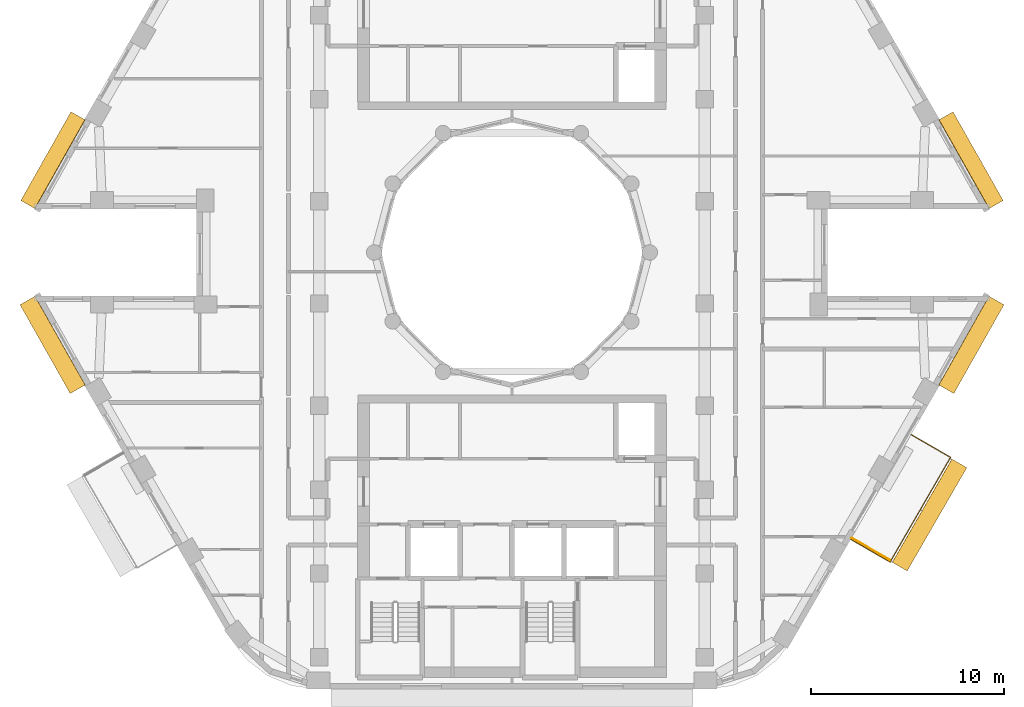
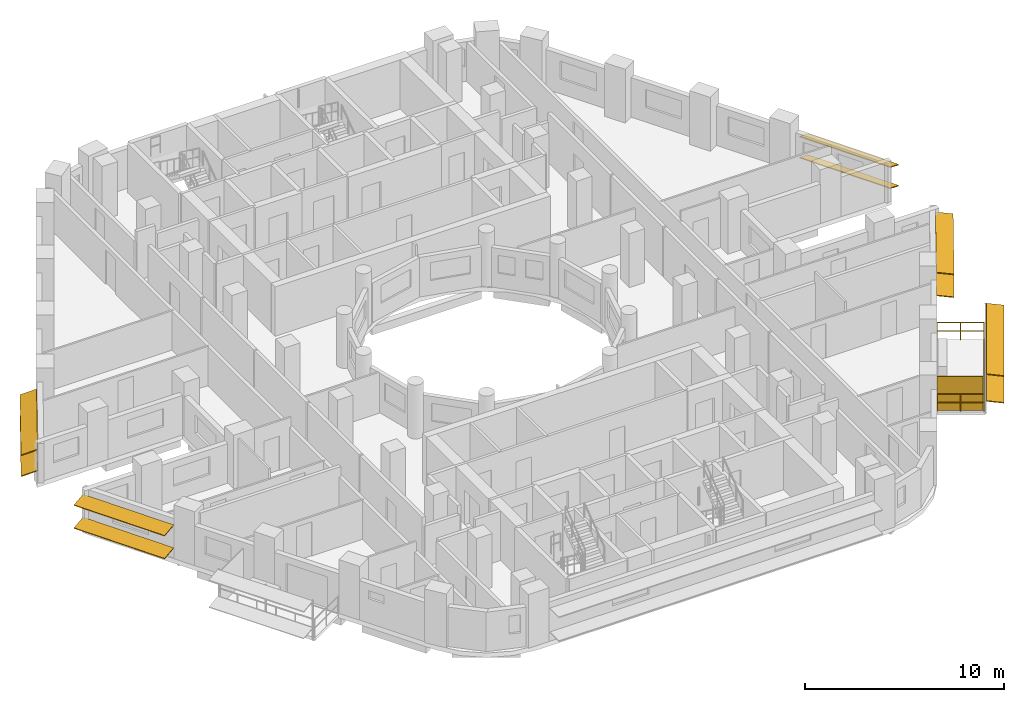
# One storey, part 14 of 15: 11 shading devices, 1 railing.
"""IFC4 building model written with IfcOpenShell, lengths in metres."""

from ifc_helpers import new_model, si_unit, direction, frame, origin, origin_2d, place, context, subcontext, project, spatial, rectangle, circle, extrude, material, layer, layer_set, material_profile, profile_set, type_object, element, save


model = new_model("IFC4")

# Units and contexts
model_context = context("Model", 3, precision=1e-05, world=origin(), true_north=direction((0.0, 1.0)))
body_context = subcontext(model_context, "Body", "Model", "MODEL_VIEW")
ifc_project = project(units=[si_unit("LENGTHUNIT", "METRE"), si_unit("AREAUNIT", "SQUARE_METRE"), si_unit("VOLUMEUNIT", "CUBIC_METRE"), si_unit("PLANEANGLEUNIT", "RADIAN"), si_unit("MASSUNIT", "GRAM", prefix="KILO")], contexts=[model_context])

# Site, building, storey
site_placement = place(None, origin())
site = spatial("IfcSite", under=ifc_project, at=site_placement, CompositionType="ELEMENT")
building_placement = place(site_placement, origin())
building = spatial("IfcBuilding", under=site, at=building_placement, Name="Nakaniwa Court", CompositionType="ELEMENT")
storey_placement = place(building_placement, frame((0.0, 0.0, 186.60009765625)))
storey = spatial("IfcBuildingStorey", under=building, at=storey_placement, Name="L48", CompositionType="ELEMENT", Elevation=186.60009765625)

# Railing
ifc_material_1 = material(Name="Black powder-coated steel flat bar balustrade S275", Category="steel")
railing_type = type_object("IfcRailingType", Name="Black metal balcony guard 1100", PredefinedType="GUARDRAIL", material=ifc_material_1)
railing_placement = place(storey_placement, frame((97.566162109375, 65.12548828125, -0.050048828125)))
element("IfcRailing", 1, at=railing_placement, inside=storey, type_object=railing_type, Name="L48 balcony guard 02", PredefinedType="GUARDRAIL", context=body_context, shape_type="SweptSolid", body=[
    extrude(circle(Radius=0.02392578125, at=origin_2d()), frame((0.0, 0.0, 1.076171875), z_axis=(0.865980564943, -0.500077655111, 0.0), x_axis=(0.500077655111, 0.865980564943, 0.0)), (0.0, 0.0, 1.0), 2.35986328125),
    extrude(circle(Radius=0.02392578125, at=origin_2d()), frame((0.0, 0.0, 0.550048828125), z_axis=(0.865980564943, -0.500077655111, 0.0), x_axis=(0.500077655111, 0.865980564943, 0.0)), (0.0, 0.0, 1.0), 2.35986328125),
    extrude(circle(Radius=0.02392578125, at=origin_2d()), frame((2.043701171875, -1.18017578125, 1.076171875), z_axis=(0.500023755625, 0.866011688033, 0.0), x_axis=(-0.866011688033, 0.500023755625, 0.0)), (0.0, 0.0, 1.0), 6.265869140625),
    extrude(circle(Radius=0.02392578125, at=origin_2d()), frame((2.043701171875, -1.18017578125, 0.550048828125), z_axis=(0.500023755625, 0.866011688033, 0.0), x_axis=(-0.866011688033, 0.500023755625, 0.0)), (0.0, 0.0, 1.0), 6.265869140625),
    extrude(circle(Radius=0.02392578125, at=origin_2d()), frame((5.1767578125, 4.24609375, 1.076171875), z_axis=(-0.865980564943, 0.500077655111, 0.0), x_axis=(-0.500077655111, -0.865980564943, 0.0)), (0.0, 0.0, 1.0), 2.35986328125),
    extrude(circle(Radius=0.02392578125, at=origin_2d()), frame((5.1767578125, 4.24609375, 0.550048828125), z_axis=(-0.865980564943, 0.500077655111, 0.0), x_axis=(-0.500077655111, -0.865980564943, 0.0)), (0.0, 0.0, 1.0), 2.35986328125),
    extrude(circle(Radius=0.02099609375, at=origin_2d()), origin(), (0.0, 0.0, 1.0), 1.052001953125),
    extrude(circle(Radius=0.02099609375, at=origin_2d()), frame((1.02197265625, -0.590087890625, 0.0)), (0.0, 0.0, 1.0), 1.052001953125),
    extrude(circle(Radius=0.02099609375, at=origin_2d()), frame((2.043701171875, -1.18017578125, 0.0)), (0.0, 0.0, 1.0), 1.052001953125),
    extrude(circle(Radius=0.02099609375, at=origin_2d()), frame((2.56591796875, -0.27587890625, 0.0)), (0.0, 0.0, 1.0), 1.052001953125),
    extrude(circle(Radius=0.02099609375, at=origin_2d()), frame((3.088134765625, 0.628662109375, 0.0)), (0.0, 0.0, 1.0), 1.052001953125),
    extrude(circle(Radius=0.02099609375, at=origin_2d()), frame((3.6103515625, 1.532958984375, 0.0)), (0.0, 0.0, 1.0), 1.052001953125),
    extrude(circle(Radius=0.02099609375, at=origin_2d()), frame((4.13232421875, 2.437255859375, 0.0)), (0.0, 0.0, 1.0), 1.052001953125),
    extrude(circle(Radius=0.02099609375, at=origin_2d()), frame((4.654541015625, 3.341796875, 0.0)), (0.0, 0.0, 1.0), 1.052001953125),
    extrude(circle(Radius=0.02099609375, at=origin_2d()), frame((5.1767578125, 4.24609375, 0.0)), (0.0, 0.0, 1.0), 1.052001953125),
    extrude(circle(Radius=0.02099609375, at=origin_2d()), frame((4.15478515625, 4.836181640625, 0.0)), (0.0, 0.0, 1.0), 1.052001953125),
    extrude(circle(Radius=0.02099609375, at=origin_2d()), frame((3.133056640625, 5.42626953125, 0.0)), (0.0, 0.0, 1.0), 1.052001953125),
])

# Shading devices
ifc_material_2 = material(Name="Black powder-coated aluminium slat screen", Category="aluminium")
ifc_layer = layer(ifc_material_2, 0.0400390625)
ifc_layer_set = layer_set([ifc_layer], Name="Black powder-coated aluminium slat screen")
shading_device_type_1 = type_object("IfcShadingDeviceType", Name="Koshi screen black metal", PredefinedType="USERDEFINED", material=ifc_layer_set)
shading_device_placement = place(storey_placement, frame((98.606201171875, 64.6171875, -0.050048828125), z_axis=(0.0, 0.0, 1.0), x_axis=(0.500016626402, 0.866015804314, 0.0)))
element("IfcShadingDevice", 2, at=shading_device_placement, inside=storey, type_object=shading_device_type_1, Name="L48 balcony SCREEN 02 W", ObjectType="KOSHI SCREEN", PredefinedType="USERDEFINED", context=body_context, shape_type="SweptSolid", body=[
    extrude(rectangle(XDim=0.0400390625, YDim=2.31005859375, at=origin_2d()), origin(), (0.0, 0.0, 1.0), 2.10009765625),
])
ifc_material_3 = material(Name="Perforated charcoal ceramic louvre blade")
ifc_material_profile = material_profile(ifc_material_3, rectangle(XDim=0.89990234375, YDim=0.050048828125, at=origin_2d()), Name="Perforated ceramic louvre blade")
ifc_profile_set = profile_set([ifc_material_profile], Name="Perforated charcoal ceramic louvre blade")
shading_device_type_2 = type_object("IfcShadingDeviceType", Name="Perforated ceramic louvre blade", PredefinedType="JALOUSIE", material=ifc_profile_set)
for number, where, z_axis, x_axis, name in (
    (3, (100.105712890625, 63.705322265625, 0.5), (0.5000060101, 0.866021933824, 0.0), (-0.858612996127, 0.495728389369, 0.13052619222), "L48 perforated ceramic louvre blade 02 1"),
    (4, (100.105712890625, 63.705322265625, 2.14990234375), (0.5000060101, 0.866021933824, 0.0), (-0.858612996127, 0.495728389369, 0.13052619222), "L48 perforated ceramic louvre blade 02 2"),
):
    element("IfcShadingDevice", number, at=place(storey_placement, frame(where, z_axis=z_axis, x_axis=x_axis)), inside=storey, type_object=shading_device_type_2, Name=name, PredefinedType="JALOUSIE", context=body_context, shape_type="SweptSolid", body=[
        extrude(rectangle(XDim=0.89990234375, YDim=0.050048828125, at=origin_2d()), origin(), (0.0, 0.0, 1.0), 6.18603515625),
    ])
for number, where, z_axis, x_axis, name in (
    (5, (105.103759765625, 82.480224609375, 0.5498046875), (-0.492005517921, 0.870592080331, 0.0), (-0.804902454764, -0.454881750109, 0.38107037635), "L48 perforated ceramic louvre blade w02 1"),
    (6, (105.103759765625, 82.480224609375, 1.84521484375), (-0.492005517921, 0.870592080331, 0.0), (-0.804902454764, -0.454881750109, 0.38107037635), "L48 perforated ceramic louvre blade w02 2"),
    (7, (57.497314453125, 87.082763671875, 0.5498046875), (-0.492005517921, -0.870592080331, 0.0), (0.804902454764, -0.454881750109, 0.38107037635), "L48 perforated ceramic louvre blade w14 1"),
    (8, (57.497314453125, 87.082763671875, 1.84521484375), (-0.492005517921, -0.870592080331, 0.0), (0.804902454764, -0.454881750109, 0.38107037635), "L48 perforated ceramic louvre blade w14 2"),
):
    element("IfcShadingDevice", number, at=place(storey_placement, frame(where, z_axis=z_axis, x_axis=x_axis)), inside=storey, type_object=shading_device_type_2, Name=name, PredefinedType="JALOUSIE", context=body_context, shape_type="SweptSolid", body=[
        extrude(rectangle(XDim=0.89990234375, YDim=0.050048828125, at=origin_2d()), origin(), (0.0, 0.0, 1.0), 5.28662109375),
    ])
for number, where, z_axis, x_axis, name in (
    (9, (54.87548828125, 77.508056640625, 0.5498046875), (0.492040518232, -0.870572299363, 0.0), (0.862924792041, 0.487718208105, 0.132256390257), "L48 perforated ceramic louvre blade w20 1"),
    (10, (54.87548828125, 77.508056640625, 1.95556640625), (0.492040518232, -0.870572299363, 0.0), (0.862924792041, 0.487718208105, 0.132256390257), "L48 perforated ceramic louvre blade w20 2"),
    (11, (102.523193359375, 72.905517578125, 0.5498046875), (0.492040518232, 0.870572299363, 0.0), (-0.862924792041, 0.487718208105, 0.132256390257), "L48 perforated ceramic louvre blade w32 1"),
    (12, (102.523193359375, 72.905517578125, 1.95556640625), (0.492040518232, 0.870572299363, 0.0), (-0.862924792041, 0.487718208105, 0.132256390257), "L48 perforated ceramic louvre blade w32 2"),
):
    element("IfcShadingDevice", number, at=place(storey_placement, frame(where, z_axis=z_axis, x_axis=x_axis)), inside=storey, type_object=shading_device_type_2, Name=name, PredefinedType="JALOUSIE", context=body_context, shape_type="SweptSolid", body=[
        extrude(rectangle(XDim=0.89990234375, YDim=0.050048828125, at=origin_2d()), origin(), (0.0, 0.0, 1.0), 5.286865234375),
    ])

save(model, "model.ifc")
